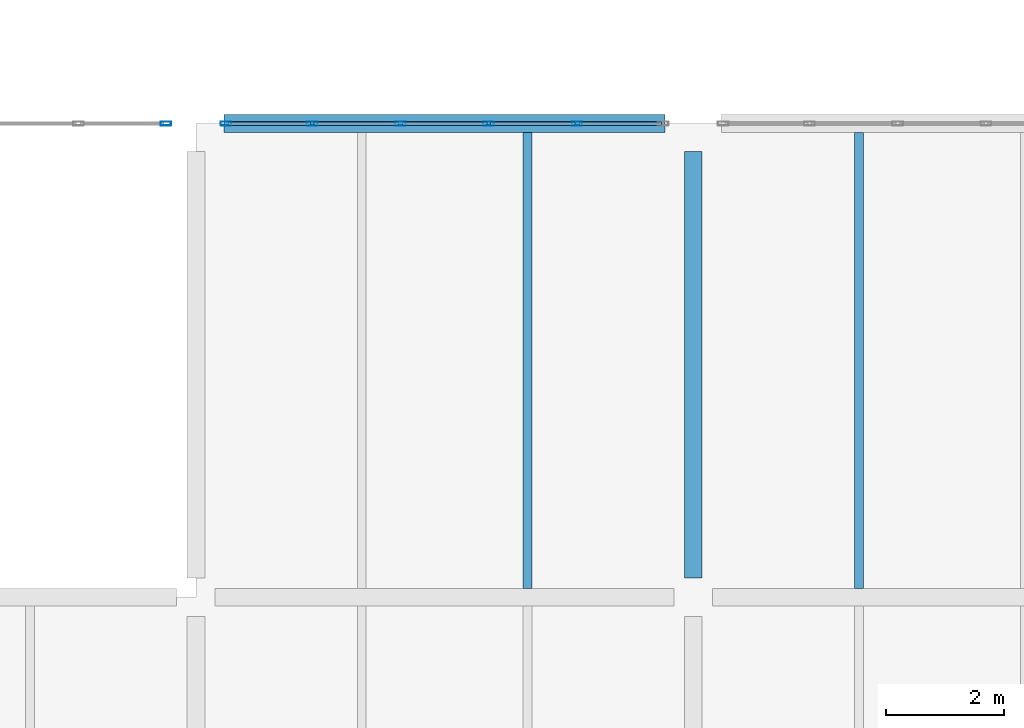
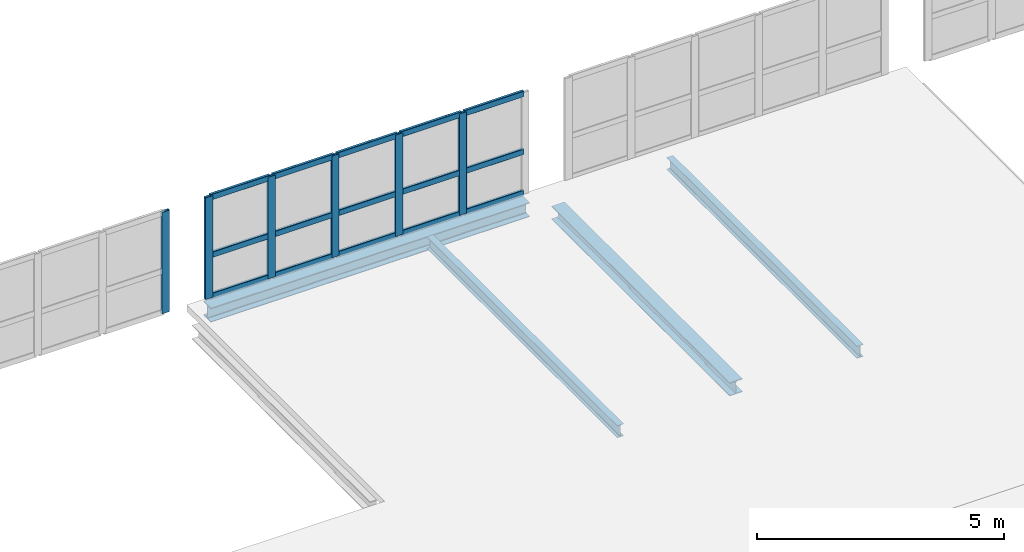
# One storey, part 10 of 177: 21 members, 4 beams, 2 elements without a shape of their own.
"""IFC4 building model written with IfcOpenShell, lengths in metres."""

from ifc_helpers import new_model, si_unit, direction, frame, origin, origin_2d, place, context, subcontext, project, spatial, hollow_rectangle, i_section, extrude, material, layer, layer_set, material_profile, profile_set, type_object, element, aggregate, save


model = new_model("IFC4")

# Units and contexts
model_context = context("Model", 3, precision=1e-05, world=origin(), true_north=direction((0.0, 1.0)))
body_context = subcontext(model_context, "Body", "Model", "MODEL_VIEW")
ifc_project = project(units=[si_unit("LENGTHUNIT", "METRE"), si_unit("AREAUNIT", "SQUARE_METRE"), si_unit("VOLUMEUNIT", "CUBIC_METRE"), si_unit("PLANEANGLEUNIT", "RADIAN"), si_unit("MASSUNIT", "GRAM", prefix="KILO"), si_unit("THERMODYNAMICTEMPERATUREUNIT", "KELVIN"), si_unit("POWERUNIT", "WATT")], contexts=[model_context])

# Site, building, storey
site_placement = place(None, origin())
site = spatial("IfcSite", under=ifc_project, at=site_placement, CompositionType="ELEMENT")
building_placement = place(site_placement, origin())
building = spatial("IfcBuilding", under=site, at=building_placement, Name="Mavoryth Pier Ferry Terminal", CompositionType="ELEMENT")
storey_placement = place(building_placement, frame((0.0, 0.0, 5.43994140625)))
storey = spatial("IfcBuildingStorey", under=building, at=storey_placement, Name="L01", CompositionType="ELEMENT", Elevation=5.43994140625)

# Beams
ifc_material_1 = material(Name="Steel S355J2", Category="steel")
ifc_material_profile_1 = material_profile(ifc_material_1, i_section(OverallWidth=0.300048828125, OverallDepth=0.330078125, WebThickness=0.009521484375, FlangeThickness=0.0166015625, FilletRadius=0.027099609375, at=origin_2d()), Name="HEA 340", Category="steel")
ifc_profile_set_1 = profile_set([ifc_material_profile_1], Name="Steel S355J2 - HEA 340")
beam_type_1 = type_object("IfcBeamType", Name="Beam-Steel-HEA340", PredefinedType="BEAM", material=ifc_profile_set_1)
beam_1_placement = place(storey_placement, frame((16.800048828125, 14.324951171875, -0.324951171875), z_axis=(0.0, 1.0, 0.0), x_axis=(-1.0, 0.0, 0.0)))
element("IfcBeam", 1, at=beam_1_placement, inside=storey, type_object=beam_type_1, Name="Beam B01-SB05-0042", PredefinedType="BEAM", context=body_context, shape_type="SweptSolid", body=[
    extrude(i_section(OverallWidth=0.300048828125, OverallDepth=0.330078125, WebThickness=0.009521484375, FlangeThickness=0.0166015625, FilletRadius=0.027099609375, at=origin_2d()), origin(), (0.0, 0.0, 1.0), 7.199951171875),
])
ifc_material_profile_2 = material_profile(ifc_material_1, i_section(OverallWidth=0.14990234375, OverallDepth=0.300048828125, WebThickness=0.007080078125, FlangeThickness=0.0107421875, FilletRadius=0.014892578125, at=origin_2d()), Name="IPE 300", Category="steel")
ifc_profile_set_2 = profile_set([ifc_material_profile_2], Name="Steel S355J2 - IPE 300")
beam_type_2 = type_object("IfcBeamType", Name="Joist-Steel-IPE300", PredefinedType="JOIST", material=ifc_profile_set_2)
for number, where, z_axis, x_axis, name in (
    (2, (14.0, 14.14990234375, -0.31005859375), (0.0, 1.0, 0.0), (-1.0, 0.0, 0.0), "Beam B01-SJ04-0045"),
    (3, (19.60009765625, 14.14990234375, -0.31005859375), (0.0, 1.0, 0.0), (-1.0, 0.0, 0.0), "Beam B01-SJ04-0046"),
):
    element("IfcBeam", number, at=place(storey_placement, frame(where, z_axis=z_axis, x_axis=x_axis)), inside=storey, type_object=beam_type_2, Name=name, PredefinedType="JOIST", context=body_context, shape_type="SweptSolid", body=[
        extrude(i_section(OverallWidth=0.14990234375, OverallDepth=0.300048828125, WebThickness=0.007080078125, FlangeThickness=0.0107421875, FilletRadius=0.014892578125, at=origin_2d()), origin(), (0.0, 0.0, 1.0), 7.7001953125),
    ])

# Curtain wall, member
ifc_material_2 = material(Name="Anodised Aluminium and Solar-Control Low-E Glass", Category="aluminium")
ifc_layer = layer(ifc_material_2, 0.179931640625, Name="Anodised Aluminium and Solar-Control Low-E Glass", Category="aluminium")
ifc_layer_set = layer_set([ifc_layer], Name="Anodised Aluminium and Solar-Control Low-E Glass - CW-Concourse-Mod1400")
curtain_wall_type = type_object("IfcCurtainWallType", Name="CW-Concourse-Mod1400", PredefinedType="USERDEFINED", material=ifc_layer_set)
curtain_wall_1_placement = place(storey_placement, origin())
curtain_wall_1 = element("IfcCurtainWall", 4, at=curtain_wall_1_placement, inside=storey, type_object=curtain_wall_type, Name="Curtain Wall CW-0133-038", ObjectType="UNITISED CURTAIN WALL", PredefinedType="USERDEFINED")
ifc_material_3 = material(Name="Anodised Aluminium EN AW-6063", Category="aluminium")
ifc_material_profile_3 = material_profile(ifc_material_3, hollow_rectangle(XDim=0.06494140625, YDim=0.179931640625, WallThickness=0.00390625, InnerFilletRadius=0.00390625, OuterFilletRadius=0.008056640625, at=origin_2d()), Name="AL-MULL 180x65x4", Category="aluminium")
ifc_profile_set_3 = profile_set([ifc_material_profile_3], Name="Anodised Aluminium EN AW-6063 - AL-MULL 180x65x4")
member_type_1 = type_object("IfcMemberType", Name="Mullion-Alum-180x65", PredefinedType="MULLION", material=ifc_profile_set_3)
member_1_placement = place(storey_placement, frame((7.892578125, 22.0, 0.0), z_axis=(0.0, 0.0, 1.0), x_axis=(0.0, 1.0, 0.0)))
member_1 = element("IfcMember", 5, at=member_1_placement, type_object=member_type_1, Name="CW01 mullion 6", PredefinedType="MULLION", context=body_context, shape_type="SweptSolid", body=[
    extrude(hollow_rectangle(XDim=0.06494140625, YDim=0.179931640625, WallThickness=0.00390625, InnerFilletRadius=0.00390625, OuterFilletRadius=0.008056640625, at=origin_2d()), origin(), (0.0, 0.0, 1.0), 2.510009765625),
])
aggregate(curtain_wall_1, [member_1])

# Curtain wall, members
curtain_wall_2_placement = place(storey_placement, origin())
curtain_wall_2 = element("IfcCurtainWall", 6, at=curtain_wall_2_placement, inside=storey, type_object=curtain_wall_type, Name="Curtain Wall CW-0133-041", ObjectType="UNITISED CURTAIN WALL", PredefinedType="USERDEFINED")
member_2_placement = place(storey_placement, frame((8.907470703125, 22.0, 0.0), z_axis=(0.0, 0.0, 1.0), x_axis=(0.0, 1.0, 0.0)))
member_2 = element("IfcMember", 7, at=member_2_placement, type_object=member_type_1, Name="CW01 mullion 1", PredefinedType="MULLION", context=body_context, shape_type="SweptSolid", body=[
    extrude(hollow_rectangle(XDim=0.06494140625, YDim=0.179931640625, WallThickness=0.00390625, InnerFilletRadius=0.00390625, OuterFilletRadius=0.008056640625, at=origin_2d()), origin(), (0.0, 0.0, 1.0), 2.510009765625),
])
member_3_placement = place(storey_placement, frame((10.364990234375, 22.0, 0.0), z_axis=(0.0, 0.0, 1.0), x_axis=(0.0, 1.0, 0.0)))
member_3 = element("IfcMember", 8, at=member_3_placement, type_object=member_type_1, Name="CW01 mullion 2", PredefinedType="MULLION", context=body_context, shape_type="SweptSolid", body=[
    extrude(hollow_rectangle(XDim=0.06494140625, YDim=0.179931640625, WallThickness=0.00390625, InnerFilletRadius=0.00390625, OuterFilletRadius=0.008056640625, at=origin_2d()), origin(), (0.0, 0.0, 1.0), 2.510009765625),
])
member_4_placement = place(storey_placement, frame((11.85498046875, 22.0, 0.0), z_axis=(0.0, 0.0, 1.0), x_axis=(0.0, 1.0, 0.0)))
member_4 = element("IfcMember", 9, at=member_4_placement, type_object=member_type_1, Name="CW01 mullion 3", PredefinedType="MULLION", context=body_context, shape_type="SweptSolid", body=[
    extrude(hollow_rectangle(XDim=0.06494140625, YDim=0.179931640625, WallThickness=0.00390625, InnerFilletRadius=0.00390625, OuterFilletRadius=0.008056640625, at=origin_2d()), origin(), (0.0, 0.0, 1.0), 2.510009765625),
])
member_5_placement = place(storey_placement, frame((13.344970703125, 22.0, 0.0), z_axis=(0.0, 0.0, 1.0), x_axis=(0.0, 1.0, 0.0)))
member_5 = element("IfcMember", 10, at=member_5_placement, type_object=member_type_1, Name="CW01 mullion 4", PredefinedType="MULLION", context=body_context, shape_type="SweptSolid", body=[
    extrude(hollow_rectangle(XDim=0.06494140625, YDim=0.179931640625, WallThickness=0.00390625, InnerFilletRadius=0.00390625, OuterFilletRadius=0.008056640625, at=origin_2d()), origin(), (0.0, 0.0, 1.0), 2.510009765625),
])
member_6_placement = place(storey_placement, frame((14.8349609375, 22.0, 0.0), z_axis=(0.0, 0.0, 1.0), x_axis=(0.0, 1.0, 0.0)))
member_6 = element("IfcMember", 11, at=member_6_placement, type_object=member_type_1, Name="CW01 mullion 5", PredefinedType="MULLION", context=body_context, shape_type="SweptSolid", body=[
    extrude(hollow_rectangle(XDim=0.06494140625, YDim=0.179931640625, WallThickness=0.00390625, InnerFilletRadius=0.00390625, OuterFilletRadius=0.008056640625, at=origin_2d()), origin(), (0.0, 0.0, 1.0), 2.510009765625),
])

# Beam
ifc_material_profile_4 = material_profile(ifc_material_1, i_section(OverallWidth=0.300048828125, OverallDepth=0.35009765625, WebThickness=0.010009765625, FlangeThickness=0.017578125, FilletRadius=0.027099609375, at=origin_2d()), Name="HEA 360", Category="steel")
ifc_profile_set_4 = profile_set([ifc_material_profile_4], Name="Steel S355J2 - HEA 360")
beam_type_3 = type_object("IfcBeamType", Name="Spandrel-Steel-HEA360", PredefinedType="SPANDREL", material=ifc_profile_set_4)
beam_2_placement = place(storey_placement, frame((8.875, 22.0, -0.3349609375), z_axis=(1.0, 0.0, 0.0), x_axis=(0.0, 1.0, 0.0)))
element("IfcBeam", 12, at=beam_2_placement, inside=storey, type_object=beam_type_3, Name="Beam B01-SP03-0039", PredefinedType="SPANDREL", context=body_context, shape_type="SweptSolid", body=[
    extrude(i_section(OverallWidth=0.300048828125, OverallDepth=0.35009765625, WebThickness=0.010009765625, FlangeThickness=0.017578125, FilletRadius=0.027099609375, at=origin_2d()), origin(), (0.0, 0.0, 1.0), 7.449951171875),
])

# Member
ifc_material_profile_5 = material_profile(ifc_material_3, hollow_rectangle(XDim=0.06494140625, YDim=0.139892578125, WallThickness=0.00390625, InnerFilletRadius=0.00390625, OuterFilletRadius=0.008056640625, at=origin_2d()), Name="AL-TRAN 140x65x4", Category="aluminium")
ifc_profile_set_5 = profile_set([ifc_material_profile_5], Name="Anodised Aluminium EN AW-6063 - AL-TRAN 140x65x4")
member_type_2 = type_object("IfcMemberType", Name="Transom-Alum-140x65", PredefinedType="USERDEFINED", material=ifc_profile_set_5)
member_7_placement = place(storey_placement, frame((8.93994140625, 22.0, 0.032470703125), z_axis=(1.0, 0.0, 0.0), x_axis=(0.0, 1.0, 0.0)))
member_7 = element("IfcMember", 13, at=member_7_placement, type_object=member_type_2, Name="CW01 transom 1.1", ObjectType="TRANSOM", PredefinedType="USERDEFINED", context=body_context, shape_type="SweptSolid", body=[
    extrude(hollow_rectangle(XDim=0.06494140625, YDim=0.139892578125, WallThickness=0.00390625, InnerFilletRadius=0.00390625, OuterFilletRadius=0.008056640625, at=origin_2d()), origin(), (0.0, 0.0, 1.0), 1.392578125),
])

member_8_placement = place(storey_placement, frame((8.93994140625, 22.0, 1.050048828125), z_axis=(1.0, 0.0, 0.0), x_axis=(0.0, 1.0, 0.0)))
member_8 = element("IfcMember", 14, at=member_8_placement, type_object=member_type_2, Name="CW01 transom 1.2", ObjectType="TRANSOM", PredefinedType="USERDEFINED", context=body_context, shape_type="SweptSolid", body=[
    extrude(hollow_rectangle(XDim=0.06494140625, YDim=0.139892578125, WallThickness=0.00390625, InnerFilletRadius=0.00390625, OuterFilletRadius=0.008056640625, at=origin_2d()), origin(), (0.0, 0.0, 1.0), 1.392578125),
])

member_9_placement = place(storey_placement, frame((8.93994140625, 22.0, 2.4775390625), z_axis=(1.0, 0.0, 0.0), x_axis=(0.0, 1.0, 0.0)))
member_9 = element("IfcMember", 15, at=member_9_placement, type_object=member_type_2, Name="CW01 transom 1.3", ObjectType="TRANSOM", PredefinedType="USERDEFINED", context=body_context, shape_type="SweptSolid", body=[
    extrude(hollow_rectangle(XDim=0.06494140625, YDim=0.139892578125, WallThickness=0.00390625, InnerFilletRadius=0.00390625, OuterFilletRadius=0.008056640625, at=origin_2d()), origin(), (0.0, 0.0, 1.0), 1.392578125),
])

member_10_placement = place(storey_placement, frame((10.3974609375, 22.0, 0.032470703125), z_axis=(1.0, 0.0, 0.0), x_axis=(0.0, 1.0, 0.0)))
member_10 = element("IfcMember", 16, at=member_10_placement, type_object=member_type_2, Name="CW01 transom 2.1", ObjectType="TRANSOM", PredefinedType="USERDEFINED", context=body_context, shape_type="SweptSolid", body=[
    extrude(hollow_rectangle(XDim=0.06494140625, YDim=0.139892578125, WallThickness=0.00390625, InnerFilletRadius=0.00390625, OuterFilletRadius=0.008056640625, at=origin_2d()), origin(), (0.0, 0.0, 1.0), 1.425048828125),
])

member_11_placement = place(storey_placement, frame((10.3974609375, 22.0, 1.050048828125), z_axis=(1.0, 0.0, 0.0), x_axis=(0.0, 1.0, 0.0)))
member_11 = element("IfcMember", 17, at=member_11_placement, type_object=member_type_2, Name="CW01 transom 2.2", ObjectType="TRANSOM", PredefinedType="USERDEFINED", context=body_context, shape_type="SweptSolid", body=[
    extrude(hollow_rectangle(XDim=0.06494140625, YDim=0.139892578125, WallThickness=0.00390625, InnerFilletRadius=0.00390625, OuterFilletRadius=0.008056640625, at=origin_2d()), origin(), (0.0, 0.0, 1.0), 1.425048828125),
])

member_12_placement = place(storey_placement, frame((10.3974609375, 22.0, 2.4775390625), z_axis=(1.0, 0.0, 0.0), x_axis=(0.0, 1.0, 0.0)))
member_12 = element("IfcMember", 18, at=member_12_placement, type_object=member_type_2, Name="CW01 transom 2.3", ObjectType="TRANSOM", PredefinedType="USERDEFINED", context=body_context, shape_type="SweptSolid", body=[
    extrude(hollow_rectangle(XDim=0.06494140625, YDim=0.139892578125, WallThickness=0.00390625, InnerFilletRadius=0.00390625, OuterFilletRadius=0.008056640625, at=origin_2d()), origin(), (0.0, 0.0, 1.0), 1.425048828125),
])

member_13_placement = place(storey_placement, frame((11.887451171875, 22.0, 0.032470703125), z_axis=(1.0, 0.0, 0.0), x_axis=(0.0, 1.0, 0.0)))
member_13 = element("IfcMember", 19, at=member_13_placement, type_object=member_type_2, Name="CW01 transom 3.1", ObjectType="TRANSOM", PredefinedType="USERDEFINED", context=body_context, shape_type="SweptSolid", body=[
    extrude(hollow_rectangle(XDim=0.06494140625, YDim=0.139892578125, WallThickness=0.00390625, InnerFilletRadius=0.00390625, OuterFilletRadius=0.008056640625, at=origin_2d()), origin(), (0.0, 0.0, 1.0), 1.425048828125),
])

member_14_placement = place(storey_placement, frame((11.887451171875, 22.0, 1.050048828125), z_axis=(1.0, 0.0, 0.0), x_axis=(0.0, 1.0, 0.0)))
member_14 = element("IfcMember", 20, at=member_14_placement, type_object=member_type_2, Name="CW01 transom 3.2", ObjectType="TRANSOM", PredefinedType="USERDEFINED", context=body_context, shape_type="SweptSolid", body=[
    extrude(hollow_rectangle(XDim=0.06494140625, YDim=0.139892578125, WallThickness=0.00390625, InnerFilletRadius=0.00390625, OuterFilletRadius=0.008056640625, at=origin_2d()), origin(), (0.0, 0.0, 1.0), 1.425048828125),
])

member_15_placement = place(storey_placement, frame((11.887451171875, 22.0, 2.4775390625), z_axis=(1.0, 0.0, 0.0), x_axis=(0.0, 1.0, 0.0)))
member_15 = element("IfcMember", 21, at=member_15_placement, type_object=member_type_2, Name="CW01 transom 3.3", ObjectType="TRANSOM", PredefinedType="USERDEFINED", context=body_context, shape_type="SweptSolid", body=[
    extrude(hollow_rectangle(XDim=0.06494140625, YDim=0.139892578125, WallThickness=0.00390625, InnerFilletRadius=0.00390625, OuterFilletRadius=0.008056640625, at=origin_2d()), origin(), (0.0, 0.0, 1.0), 1.425048828125),
])

member_16_placement = place(storey_placement, frame((13.37744140625, 22.0, 0.032470703125), z_axis=(1.0, 0.0, 0.0), x_axis=(0.0, 1.0, 0.0)))
member_16 = element("IfcMember", 22, at=member_16_placement, type_object=member_type_2, Name="CW01 transom 4.1", ObjectType="TRANSOM", PredefinedType="USERDEFINED", context=body_context, shape_type="SweptSolid", body=[
    extrude(hollow_rectangle(XDim=0.06494140625, YDim=0.139892578125, WallThickness=0.00390625, InnerFilletRadius=0.00390625, OuterFilletRadius=0.008056640625, at=origin_2d()), origin(), (0.0, 0.0, 1.0), 1.425048828125),
])

member_17_placement = place(storey_placement, frame((13.37744140625, 22.0, 1.050048828125), z_axis=(1.0, 0.0, 0.0), x_axis=(0.0, 1.0, 0.0)))
member_17 = element("IfcMember", 23, at=member_17_placement, type_object=member_type_2, Name="CW01 transom 4.2", ObjectType="TRANSOM", PredefinedType="USERDEFINED", context=body_context, shape_type="SweptSolid", body=[
    extrude(hollow_rectangle(XDim=0.06494140625, YDim=0.139892578125, WallThickness=0.00390625, InnerFilletRadius=0.00390625, OuterFilletRadius=0.008056640625, at=origin_2d()), origin(), (0.0, 0.0, 1.0), 1.425048828125),
])

member_18_placement = place(storey_placement, frame((13.37744140625, 22.0, 2.4775390625), z_axis=(1.0, 0.0, 0.0), x_axis=(0.0, 1.0, 0.0)))
member_18 = element("IfcMember", 24, at=member_18_placement, type_object=member_type_2, Name="CW01 transom 4.3", ObjectType="TRANSOM", PredefinedType="USERDEFINED", context=body_context, shape_type="SweptSolid", body=[
    extrude(hollow_rectangle(XDim=0.06494140625, YDim=0.139892578125, WallThickness=0.00390625, InnerFilletRadius=0.00390625, OuterFilletRadius=0.008056640625, at=origin_2d()), origin(), (0.0, 0.0, 1.0), 1.425048828125),
])

member_19_placement = place(storey_placement, frame((14.867431640625, 22.0, 0.032470703125), z_axis=(1.0, 0.0, 0.0), x_axis=(0.0, 1.0, 0.0)))
member_19 = element("IfcMember", 25, at=member_19_placement, type_object=member_type_2, Name="CW01 transom 5.1", ObjectType="TRANSOM", PredefinedType="USERDEFINED", context=body_context, shape_type="SweptSolid", body=[
    extrude(hollow_rectangle(XDim=0.06494140625, YDim=0.139892578125, WallThickness=0.00390625, InnerFilletRadius=0.00390625, OuterFilletRadius=0.008056640625, at=origin_2d()), origin(), (0.0, 0.0, 1.0), 1.392578125),
])

member_20_placement = place(storey_placement, frame((14.867431640625, 22.0, 1.050048828125), z_axis=(1.0, 0.0, 0.0), x_axis=(0.0, 1.0, 0.0)))
member_20 = element("IfcMember", 26, at=member_20_placement, type_object=member_type_2, Name="CW01 transom 5.2", ObjectType="TRANSOM", PredefinedType="USERDEFINED", context=body_context, shape_type="SweptSolid", body=[
    extrude(hollow_rectangle(XDim=0.06494140625, YDim=0.139892578125, WallThickness=0.00390625, InnerFilletRadius=0.00390625, OuterFilletRadius=0.008056640625, at=origin_2d()), origin(), (0.0, 0.0, 1.0), 1.392578125),
])

member_21_placement = place(storey_placement, frame((14.867431640625, 22.0, 2.4775390625), z_axis=(1.0, 0.0, 0.0), x_axis=(0.0, 1.0, 0.0)))
member_21 = element("IfcMember", 27, at=member_21_placement, type_object=member_type_2, Name="CW01 transom 5.3", ObjectType="TRANSOM", PredefinedType="USERDEFINED", context=body_context, shape_type="SweptSolid", body=[
    extrude(hollow_rectangle(XDim=0.06494140625, YDim=0.139892578125, WallThickness=0.00390625, InnerFilletRadius=0.00390625, OuterFilletRadius=0.008056640625, at=origin_2d()), origin(), (0.0, 0.0, 1.0), 1.392578125),
])

aggregate(curtain_wall_2, [member_2, member_3, member_4, member_5, member_6, member_7, member_8, member_9, member_10, member_11, member_12, member_13, member_14, member_15, member_16, member_17, member_18, member_19, member_20, member_21])

save(model, "model.ifc")
